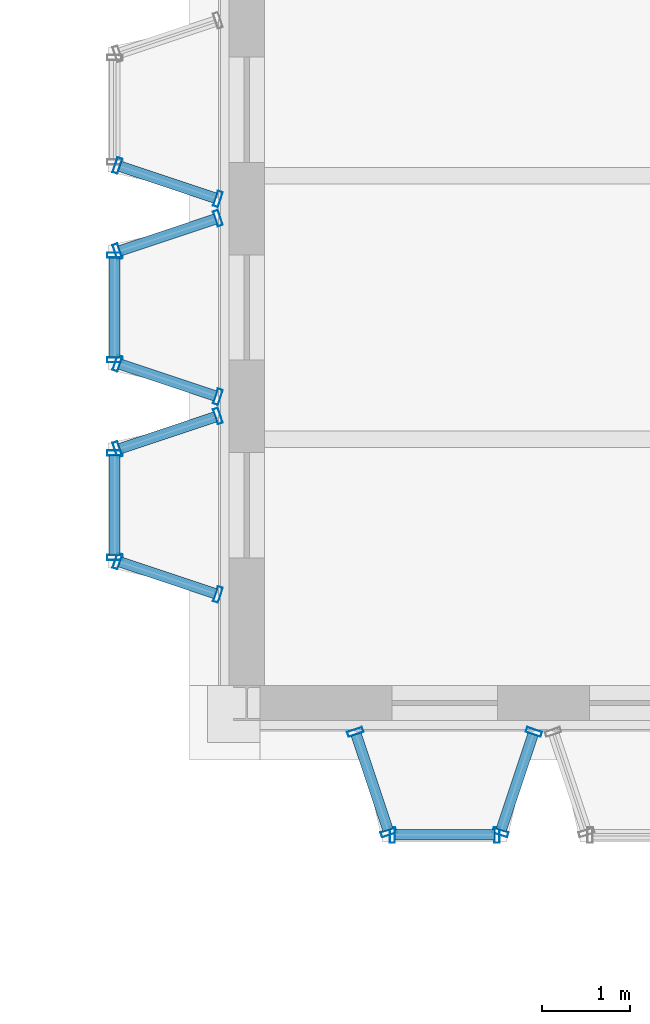
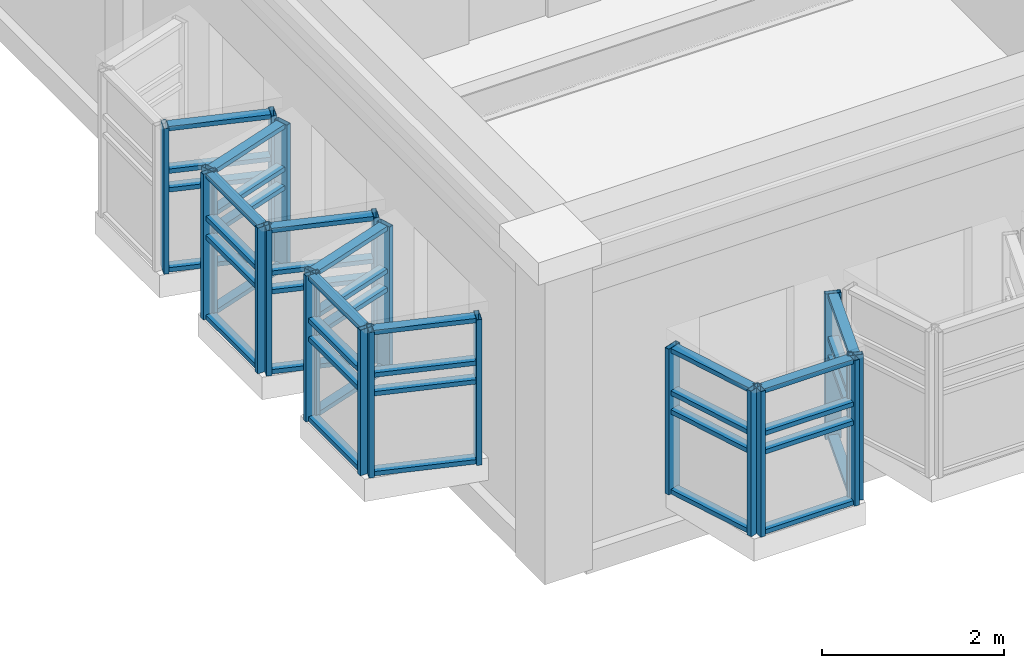
# One storey, part 25 of 153: 60 members, 10 elements without a shape of their own.
"""IFC4 building model written with IfcOpenShell, lengths in metres."""

from ifc_helpers import new_model, si_unit, direction, frame, origin, origin_2d, place, context, subcontext, project, spatial, hollow_rectangle, extrude, material, material_profile, profile_set, type_object, element, aggregate, save


model = new_model("IFC4")

# Units and contexts
model_context = context("Model", 3, precision=1e-05, world=origin(), true_north=direction((0.0, 1.0)))
body_context = subcontext(model_context, "Body", "Model", "MODEL_VIEW")
ifc_project = project(units=[si_unit("LENGTHUNIT", "METRE"), si_unit("AREAUNIT", "SQUARE_METRE"), si_unit("VOLUMEUNIT", "CUBIC_METRE"), si_unit("PLANEANGLEUNIT", "RADIAN"), si_unit("MASSUNIT", "GRAM", prefix="KILO")], contexts=[model_context])

# Site, building, storey
site_placement = place(None, origin())
site = spatial("IfcSite", under=ifc_project, at=site_placement, CompositionType="ELEMENT")
building_placement = place(site_placement, origin())
building = spatial("IfcBuilding", under=site, at=building_placement, Name="Kallimachos Central Library", CompositionType="ELEMENT")
storey_placement = place(building_placement, frame((0.0, 0.0, 5.39990234375)))
storey = spatial("IfcBuildingStorey", under=building, at=storey_placement, Name="L01", CompositionType="ELEMENT", Elevation=5.39990234375)

# Curtain wall, members
ifc_material_1 = material(Name="Laminated glass in anodised aluminium", Category="aluminium")
curtain_wall_type = type_object("IfcCurtainWallType", Name="Foyer curtain wall", PredefinedType="NOTDEFINED", material=ifc_material_1)
curtain_wall_1_placement = place(storey_placement, origin())
curtain_wall_1 = element("IfcCurtainWall", 1, at=curtain_wall_1_placement, inside=storey, type_object=curtain_wall_type, Name="Tribune bay return west", PredefinedType="NOTDEFINED")
ifc_material_2 = material(Name="Anodised aluminium", Category="aluminium")
ifc_material_profile_1 = material_profile(ifc_material_2, hollow_rectangle(XDim=0.06005859375, YDim=0.179931640625, WallThickness=0.00390625, at=origin_2d()), Name="ALU MULLION 60x180")
ifc_profile_set_1 = profile_set([ifc_material_profile_1], Name="Anodised aluminium")
member_type_1 = type_object("IfcMemberType", Name="ALU MULLION 60x180 mullion", PredefinedType="MULLION", material=ifc_profile_set_1)
member_1_placement = place(storey_placement, frame((66.734375, 17.671630859375, 0.60009765625), z_axis=(0.0, 0.0, 1.0), x_axis=(0.316227766018, -0.94868329805, 0.0)))
member_1 = element("IfcMember", 2, at=member_1_placement, type_object=member_type_1, Name="CW mullion 1", PredefinedType="MULLION", context=body_context, shape_type="SweptSolid", body=[
    extrude(hollow_rectangle(XDim=0.06005859375, YDim=0.179931640625, WallThickness=0.00390625, at=origin_2d()), origin(), (0.0, 0.0, 1.0), 1.949951171875),
])
member_2_placement = place(storey_placement, frame((67.115478515625, 16.528564453125, 0.60009765625), z_axis=(0.0, 0.0, 1.0), x_axis=(0.316227766018, -0.94868329805, 0.0)))
member_2 = element("IfcMember", 3, at=member_2_placement, type_object=member_type_1, Name="CW mullion 2", PredefinedType="MULLION", context=body_context, shape_type="SweptSolid", body=[
    extrude(hollow_rectangle(XDim=0.06005859375, YDim=0.179931640625, WallThickness=0.00390625, at=origin_2d()), origin(), (0.0, 0.0, 1.0), 1.949951171875),
])

curtain_wall_2_placement = place(storey_placement, origin())
curtain_wall_2 = element("IfcCurtainWall", 4, at=curtain_wall_2_placement, inside=storey, type_object=curtain_wall_type, Name="Tribune bay front", PredefinedType="NOTDEFINED")
member_3_placement = place(storey_placement, frame((67.155029296875, 16.5, 0.60009765625), z_axis=(0.0, 0.0, 1.0), x_axis=(1.0, 0.0, 0.0)))
member_3 = element("IfcMember", 5, at=member_3_placement, type_object=member_type_1, Name="CW mullion 1", PredefinedType="MULLION", context=body_context, shape_type="SweptSolid", body=[
    extrude(hollow_rectangle(XDim=0.06005859375, YDim=0.179931640625, WallThickness=0.00390625, at=origin_2d()), origin(), (0.0, 0.0, 1.0), 1.949951171875),
])
member_4_placement = place(storey_placement, frame((68.344970703125, 16.5, 0.60009765625), z_axis=(0.0, 0.0, 1.0), x_axis=(1.0, 0.0, 0.0)))
member_4 = element("IfcMember", 6, at=member_4_placement, type_object=member_type_1, Name="CW mullion 2", PredefinedType="MULLION", context=body_context, shape_type="SweptSolid", body=[
    extrude(hollow_rectangle(XDim=0.06005859375, YDim=0.179931640625, WallThickness=0.00390625, at=origin_2d()), origin(), (0.0, 0.0, 1.0), 1.949951171875),
])

curtain_wall_3_placement = place(storey_placement, origin())
curtain_wall_3 = element("IfcCurtainWall", 7, at=curtain_wall_3_placement, inside=storey, type_object=curtain_wall_type, Name="Tribune bay return east", PredefinedType="NOTDEFINED")
member_5_placement = place(storey_placement, frame((68.384521484375, 16.528564453125, 0.60009765625), z_axis=(0.0, 0.0, 1.0), x_axis=(0.316227766018, 0.94868329805, 0.0)))
member_5 = element("IfcMember", 8, at=member_5_placement, type_object=member_type_1, Name="CW mullion 1", PredefinedType="MULLION", context=body_context, shape_type="SweptSolid", body=[
    extrude(hollow_rectangle(XDim=0.06005859375, YDim=0.179931640625, WallThickness=0.00390625, at=origin_2d()), origin(), (0.0, 0.0, 1.0), 1.949951171875),
])
member_6_placement = place(storey_placement, frame((68.765625, 17.671630859375, 0.60009765625), z_axis=(0.0, 0.0, 1.0), x_axis=(0.316227766018, 0.94868329805, 0.0)))
member_6 = element("IfcMember", 9, at=member_6_placement, type_object=member_type_1, Name="CW mullion 2", PredefinedType="MULLION", context=body_context, shape_type="SweptSolid", body=[
    extrude(hollow_rectangle(XDim=0.06005859375, YDim=0.179931640625, WallThickness=0.00390625, at=origin_2d()), origin(), (0.0, 0.0, 1.0), 1.949951171875),
])

curtain_wall_4_placement = place(storey_placement, origin())
curtain_wall_4 = element("IfcCurtainWall", 10, at=curtain_wall_4_placement, inside=storey, type_object=curtain_wall_type, Name="Tribune bay return west", PredefinedType="NOTDEFINED")
member_7_placement = place(storey_placement, frame((65.171630859375, 19.234375, 0.60009765625), z_axis=(0.0, 0.0, 1.0), x_axis=(-0.94868329805, 0.316227766018, 0.0)))
member_7 = element("IfcMember", 11, at=member_7_placement, type_object=member_type_1, Name="CW mullion 1", PredefinedType="MULLION", context=body_context, shape_type="SweptSolid", body=[
    extrude(hollow_rectangle(XDim=0.06005859375, YDim=0.179931640625, WallThickness=0.00390625, at=origin_2d()), origin(), (0.0, 0.0, 1.0), 1.949951171875),
])
member_8_placement = place(storey_placement, frame((64.028564453125, 19.615478515625, 0.60009765625), z_axis=(0.0, 0.0, 1.0), x_axis=(-0.94868329805, 0.316227766018, 0.0)))
member_8 = element("IfcMember", 12, at=member_8_placement, type_object=member_type_1, Name="CW mullion 2", PredefinedType="MULLION", context=body_context, shape_type="SweptSolid", body=[
    extrude(hollow_rectangle(XDim=0.06005859375, YDim=0.179931640625, WallThickness=0.00390625, at=origin_2d()), origin(), (0.0, 0.0, 1.0), 1.949951171875),
])

curtain_wall_5_placement = place(storey_placement, origin())
curtain_wall_5 = element("IfcCurtainWall", 13, at=curtain_wall_5_placement, inside=storey, type_object=curtain_wall_type, Name="Tribune bay front", PredefinedType="NOTDEFINED")
member_9_placement = place(storey_placement, frame((64.0, 19.655029296875, 0.60009765625), z_axis=(0.0, 0.0, 1.0), x_axis=(0.0, 1.0, 0.0)))
member_9 = element("IfcMember", 14, at=member_9_placement, type_object=member_type_1, Name="CW mullion 1", PredefinedType="MULLION", context=body_context, shape_type="SweptSolid", body=[
    extrude(hollow_rectangle(XDim=0.06005859375, YDim=0.179931640625, WallThickness=0.00390625, at=origin_2d()), origin(), (0.0, 0.0, 1.0), 1.949951171875),
])
member_10_placement = place(storey_placement, frame((64.0, 20.844970703125, 0.60009765625), z_axis=(0.0, 0.0, 1.0), x_axis=(0.0, 1.0, 0.0)))
member_10 = element("IfcMember", 15, at=member_10_placement, type_object=member_type_1, Name="CW mullion 2", PredefinedType="MULLION", context=body_context, shape_type="SweptSolid", body=[
    extrude(hollow_rectangle(XDim=0.06005859375, YDim=0.179931640625, WallThickness=0.00390625, at=origin_2d()), origin(), (0.0, 0.0, 1.0), 1.949951171875),
])

curtain_wall_6_placement = place(storey_placement, origin())
curtain_wall_6 = element("IfcCurtainWall", 16, at=curtain_wall_6_placement, inside=storey, type_object=curtain_wall_type, Name="Tribune bay return east", PredefinedType="NOTDEFINED")
member_11_placement = place(storey_placement, frame((64.028564453125, 20.884521484375, 0.60009765625), z_axis=(0.0, 0.0, 1.0), x_axis=(0.94868329805, 0.316227766018, 0.0)))
member_11 = element("IfcMember", 17, at=member_11_placement, type_object=member_type_1, Name="CW mullion 1", PredefinedType="MULLION", context=body_context, shape_type="SweptSolid", body=[
    extrude(hollow_rectangle(XDim=0.06005859375, YDim=0.179931640625, WallThickness=0.00390625, at=origin_2d()), origin(), (0.0, 0.0, 1.0), 1.949951171875),
])
member_12_placement = place(storey_placement, frame((65.171630859375, 21.265625, 0.60009765625), z_axis=(0.0, 0.0, 1.0), x_axis=(0.94868329805, 0.316227766018, 0.0)))
member_12 = element("IfcMember", 18, at=member_12_placement, type_object=member_type_1, Name="CW mullion 2", PredefinedType="MULLION", context=body_context, shape_type="SweptSolid", body=[
    extrude(hollow_rectangle(XDim=0.06005859375, YDim=0.179931640625, WallThickness=0.00390625, at=origin_2d()), origin(), (0.0, 0.0, 1.0), 1.949951171875),
])

curtain_wall_7_placement = place(storey_placement, origin())
curtain_wall_7 = element("IfcCurtainWall", 19, at=curtain_wall_7_placement, inside=storey, type_object=curtain_wall_type, Name="Tribune bay return west", PredefinedType="NOTDEFINED")
member_13_placement = place(storey_placement, frame((65.171630859375, 21.484375, 0.60009765625), z_axis=(0.0, 0.0, 1.0), x_axis=(-0.94868329805, 0.316227766018, 0.0)))
member_13 = element("IfcMember", 20, at=member_13_placement, type_object=member_type_1, Name="CW mullion 1", PredefinedType="MULLION", context=body_context, shape_type="SweptSolid", body=[
    extrude(hollow_rectangle(XDim=0.06005859375, YDim=0.179931640625, WallThickness=0.00390625, at=origin_2d()), origin(), (0.0, 0.0, 1.0), 1.949951171875),
])
member_14_placement = place(storey_placement, frame((64.028564453125, 21.865478515625, 0.60009765625), z_axis=(0.0, 0.0, 1.0), x_axis=(-0.94868329805, 0.316227766018, 0.0)))
member_14 = element("IfcMember", 21, at=member_14_placement, type_object=member_type_1, Name="CW mullion 2", PredefinedType="MULLION", context=body_context, shape_type="SweptSolid", body=[
    extrude(hollow_rectangle(XDim=0.06005859375, YDim=0.179931640625, WallThickness=0.00390625, at=origin_2d()), origin(), (0.0, 0.0, 1.0), 1.949951171875),
])

curtain_wall_8_placement = place(storey_placement, origin())
curtain_wall_8 = element("IfcCurtainWall", 22, at=curtain_wall_8_placement, inside=storey, type_object=curtain_wall_type, Name="Tribune bay front", PredefinedType="NOTDEFINED")
member_15_placement = place(storey_placement, frame((64.0, 21.905029296875, 0.60009765625), z_axis=(0.0, 0.0, 1.0), x_axis=(0.0, 1.0, 0.0)))
member_15 = element("IfcMember", 23, at=member_15_placement, type_object=member_type_1, Name="CW mullion 1", PredefinedType="MULLION", context=body_context, shape_type="SweptSolid", body=[
    extrude(hollow_rectangle(XDim=0.06005859375, YDim=0.179931640625, WallThickness=0.00390625, at=origin_2d()), origin(), (0.0, 0.0, 1.0), 1.949951171875),
])
member_16_placement = place(storey_placement, frame((64.0, 23.094970703125, 0.60009765625), z_axis=(0.0, 0.0, 1.0), x_axis=(0.0, 1.0, 0.0)))
member_16 = element("IfcMember", 24, at=member_16_placement, type_object=member_type_1, Name="CW mullion 2", PredefinedType="MULLION", context=body_context, shape_type="SweptSolid", body=[
    extrude(hollow_rectangle(XDim=0.06005859375, YDim=0.179931640625, WallThickness=0.00390625, at=origin_2d()), origin(), (0.0, 0.0, 1.0), 1.949951171875),
])

curtain_wall_9_placement = place(storey_placement, origin())
curtain_wall_9 = element("IfcCurtainWall", 25, at=curtain_wall_9_placement, inside=storey, type_object=curtain_wall_type, Name="Tribune bay return east", PredefinedType="NOTDEFINED")
member_17_placement = place(storey_placement, frame((64.028564453125, 23.134521484375, 0.60009765625), z_axis=(0.0, 0.0, 1.0), x_axis=(0.94868329805, 0.316227766018, 0.0)))
member_17 = element("IfcMember", 26, at=member_17_placement, type_object=member_type_1, Name="CW mullion 1", PredefinedType="MULLION", context=body_context, shape_type="SweptSolid", body=[
    extrude(hollow_rectangle(XDim=0.06005859375, YDim=0.179931640625, WallThickness=0.00390625, at=origin_2d()), origin(), (0.0, 0.0, 1.0), 1.949951171875),
])
member_18_placement = place(storey_placement, frame((65.171630859375, 23.515625, 0.60009765625), z_axis=(0.0, 0.0, 1.0), x_axis=(0.94868329805, 0.316227766018, 0.0)))
member_18 = element("IfcMember", 27, at=member_18_placement, type_object=member_type_1, Name="CW mullion 2", PredefinedType="MULLION", context=body_context, shape_type="SweptSolid", body=[
    extrude(hollow_rectangle(XDim=0.06005859375, YDim=0.179931640625, WallThickness=0.00390625, at=origin_2d()), origin(), (0.0, 0.0, 1.0), 1.949951171875),
])

curtain_wall_10_placement = place(storey_placement, origin())
curtain_wall_10 = element("IfcCurtainWall", 28, at=curtain_wall_10_placement, inside=storey, type_object=curtain_wall_type, Name="Tribune bay return west", PredefinedType="NOTDEFINED")
member_19_placement = place(storey_placement, frame((65.171630859375, 23.734375, 0.60009765625), z_axis=(0.0, 0.0, 1.0), x_axis=(-0.94868329805, 0.316227766018, 0.0)))
member_19 = element("IfcMember", 29, at=member_19_placement, type_object=member_type_1, Name="CW mullion 1", PredefinedType="MULLION", context=body_context, shape_type="SweptSolid", body=[
    extrude(hollow_rectangle(XDim=0.06005859375, YDim=0.179931640625, WallThickness=0.00390625, at=origin_2d()), origin(), (0.0, 0.0, 1.0), 1.949951171875),
])
member_20_placement = place(storey_placement, frame((64.028564453125, 24.115478515625, 0.60009765625), z_axis=(0.0, 0.0, 1.0), x_axis=(-0.94868329805, 0.316227766018, 0.0)))
member_20 = element("IfcMember", 30, at=member_20_placement, type_object=member_type_1, Name="CW mullion 2", PredefinedType="MULLION", context=body_context, shape_type="SweptSolid", body=[
    extrude(hollow_rectangle(XDim=0.06005859375, YDim=0.179931640625, WallThickness=0.00390625, at=origin_2d()), origin(), (0.0, 0.0, 1.0), 1.949951171875),
])

# Member
ifc_material_3 = material(Name="Anodised aluminium", Category="aluminium")
ifc_material_profile_2 = material_profile(ifc_material_3, hollow_rectangle(XDim=0.06005859375, YDim=0.1201171875, WallThickness=0.00390625, at=origin_2d()), Name="ALU TRANSOM 60x120")
ifc_profile_set_2 = profile_set([ifc_material_profile_2], Name="Anodised aluminium")
member_type_2 = type_object("IfcMemberType", Name="ALU TRANSOM 60x120 transom", PredefinedType="USERDEFINED", material=ifc_profile_set_2)
member_21_placement = place(storey_placement, frame((66.743896484375, 17.64306640625, 0.630126953125), z_axis=(0.316227766017, -0.948683298051, 0.0), x_axis=(0.0, 0.0, 1.0)))
member_21 = element("IfcMember", 31, at=member_21_placement, type_object=member_type_2, Name="CW transom 1.1", ObjectType="TRANSOM", PredefinedType="USERDEFINED", context=body_context, shape_type="SweptSolid", body=[
    extrude(hollow_rectangle(XDim=0.06005859375, YDim=0.1201171875, WallThickness=0.00390625, at=origin_2d()), origin(), (0.0, 0.0, 1.0), 1.14501953125),
])

member_22_placement = place(storey_placement, frame((66.743896484375, 17.64306640625, 1.7001953125), z_axis=(0.316227766017, -0.948683298051, 0.0), x_axis=(0.0, 0.0, 1.0)))
member_22 = element("IfcMember", 32, at=member_22_placement, type_object=member_type_2, Name="CW transom 1.2", ObjectType="TRANSOM", PredefinedType="USERDEFINED", context=body_context, shape_type="SweptSolid", body=[
    extrude(hollow_rectangle(XDim=0.06005859375, YDim=0.1201171875, WallThickness=0.00390625, at=origin_2d()), origin(), (0.0, 0.0, 1.0), 1.14501953125),
])

member_23_placement = place(storey_placement, frame((66.743896484375, 17.64306640625, 1.9501953125), z_axis=(0.316227766017, -0.948683298051, 0.0), x_axis=(0.0, 0.0, 1.0)))
member_23 = element("IfcMember", 33, at=member_23_placement, type_object=member_type_2, Name="CW transom 1.3", ObjectType="TRANSOM", PredefinedType="USERDEFINED", context=body_context, shape_type="SweptSolid", body=[
    extrude(hollow_rectangle(XDim=0.06005859375, YDim=0.1201171875, WallThickness=0.00390625, at=origin_2d()), origin(), (0.0, 0.0, 1.0), 1.14501953125),
])

member_24_placement = place(storey_placement, frame((66.743896484375, 17.64306640625, 2.52001953125), z_axis=(0.316227766017, -0.948683298051, 0.0), x_axis=(0.0, 0.0, 1.0)))
member_24 = element("IfcMember", 34, at=member_24_placement, type_object=member_type_2, Name="CW transom 1.4", ObjectType="TRANSOM", PredefinedType="USERDEFINED", context=body_context, shape_type="SweptSolid", body=[
    extrude(hollow_rectangle(XDim=0.06005859375, YDim=0.1201171875, WallThickness=0.00390625, at=origin_2d()), origin(), (0.0, 0.0, 1.0), 1.14501953125),
])

aggregate(curtain_wall_1, [member_1, member_2, member_21, member_22, member_23, member_24])

member_25_placement = place(storey_placement, frame((67.18505859375, 16.5, 0.630126953125), z_axis=(1.0, 0.0, 0.0), x_axis=(0.0, 0.0, 1.0)))
member_25 = element("IfcMember", 35, at=member_25_placement, type_object=member_type_2, Name="CW transom 1.1", ObjectType="TRANSOM", PredefinedType="USERDEFINED", context=body_context, shape_type="SweptSolid", body=[
    extrude(hollow_rectangle(XDim=0.06005859375, YDim=0.1201171875, WallThickness=0.00390625, at=origin_2d()), origin(), (0.0, 0.0, 1.0), 1.1298828125),
])

member_26_placement = place(storey_placement, frame((67.18505859375, 16.5, 1.7001953125), z_axis=(1.0, 0.0, 0.0), x_axis=(0.0, 0.0, 1.0)))
member_26 = element("IfcMember", 36, at=member_26_placement, type_object=member_type_2, Name="CW transom 1.2", ObjectType="TRANSOM", PredefinedType="USERDEFINED", context=body_context, shape_type="SweptSolid", body=[
    extrude(hollow_rectangle(XDim=0.06005859375, YDim=0.1201171875, WallThickness=0.00390625, at=origin_2d()), origin(), (0.0, 0.0, 1.0), 1.1298828125),
])

member_27_placement = place(storey_placement, frame((67.18505859375, 16.5, 1.9501953125), z_axis=(1.0, 0.0, 0.0), x_axis=(0.0, 0.0, 1.0)))
member_27 = element("IfcMember", 37, at=member_27_placement, type_object=member_type_2, Name="CW transom 1.3", ObjectType="TRANSOM", PredefinedType="USERDEFINED", context=body_context, shape_type="SweptSolid", body=[
    extrude(hollow_rectangle(XDim=0.06005859375, YDim=0.1201171875, WallThickness=0.00390625, at=origin_2d()), origin(), (0.0, 0.0, 1.0), 1.1298828125),
])

member_28_placement = place(storey_placement, frame((67.18505859375, 16.5, 2.52001953125), z_axis=(1.0, 0.0, 0.0), x_axis=(0.0, 0.0, 1.0)))
member_28 = element("IfcMember", 38, at=member_28_placement, type_object=member_type_2, Name="CW transom 1.4", ObjectType="TRANSOM", PredefinedType="USERDEFINED", context=body_context, shape_type="SweptSolid", body=[
    extrude(hollow_rectangle(XDim=0.06005859375, YDim=0.1201171875, WallThickness=0.00390625, at=origin_2d()), origin(), (0.0, 0.0, 1.0), 1.1298828125),
])

aggregate(curtain_wall_2, [member_3, member_4, member_25, member_26, member_27, member_28])

member_29_placement = place(storey_placement, frame((68.39404296875, 16.556884765625, 0.630126953125), z_axis=(0.316227766017, 0.948683298051, 0.0), x_axis=(0.0, 0.0, 1.0)))
member_29 = element("IfcMember", 39, at=member_29_placement, type_object=member_type_2, Name="CW transom 1.1", ObjectType="TRANSOM", PredefinedType="USERDEFINED", context=body_context, shape_type="SweptSolid", body=[
    extrude(hollow_rectangle(XDim=0.06005859375, YDim=0.1201171875, WallThickness=0.00390625, at=origin_2d()), origin(), (0.0, 0.0, 1.0), 1.14501953125),
])

member_30_placement = place(storey_placement, frame((68.39404296875, 16.556884765625, 1.7001953125), z_axis=(0.316227766017, 0.948683298051, 0.0), x_axis=(0.0, 0.0, 1.0)))
member_30 = element("IfcMember", 40, at=member_30_placement, type_object=member_type_2, Name="CW transom 1.2", ObjectType="TRANSOM", PredefinedType="USERDEFINED", context=body_context, shape_type="SweptSolid", body=[
    extrude(hollow_rectangle(XDim=0.06005859375, YDim=0.1201171875, WallThickness=0.00390625, at=origin_2d()), origin(), (0.0, 0.0, 1.0), 1.14501953125),
])

member_31_placement = place(storey_placement, frame((68.39404296875, 16.556884765625, 1.9501953125), z_axis=(0.316227766017, 0.948683298051, 0.0), x_axis=(0.0, 0.0, 1.0)))
member_31 = element("IfcMember", 41, at=member_31_placement, type_object=member_type_2, Name="CW transom 1.3", ObjectType="TRANSOM", PredefinedType="USERDEFINED", context=body_context, shape_type="SweptSolid", body=[
    extrude(hollow_rectangle(XDim=0.06005859375, YDim=0.1201171875, WallThickness=0.00390625, at=origin_2d()), origin(), (0.0, 0.0, 1.0), 1.14501953125),
])

member_32_placement = place(storey_placement, frame((68.39404296875, 16.556884765625, 2.52001953125), z_axis=(0.316227766017, 0.948683298051, 0.0), x_axis=(0.0, 0.0, 1.0)))
member_32 = element("IfcMember", 42, at=member_32_placement, type_object=member_type_2, Name="CW transom 1.4", ObjectType="TRANSOM", PredefinedType="USERDEFINED", context=body_context, shape_type="SweptSolid", body=[
    extrude(hollow_rectangle(XDim=0.06005859375, YDim=0.1201171875, WallThickness=0.00390625, at=origin_2d()), origin(), (0.0, 0.0, 1.0), 1.14501953125),
])

aggregate(curtain_wall_3, [member_5, member_6, member_29, member_30, member_31, member_32])

member_33_placement = place(storey_placement, frame((65.14306640625, 19.243896484375, 0.630126953125), z_axis=(-0.948683298051, 0.316227766017, 0.0), x_axis=(0.0, 0.0, 1.0)))
member_33 = element("IfcMember", 43, at=member_33_placement, type_object=member_type_2, Name="CW transom 1.1", ObjectType="TRANSOM", PredefinedType="USERDEFINED", context=body_context, shape_type="SweptSolid", body=[
    extrude(hollow_rectangle(XDim=0.06005859375, YDim=0.1201171875, WallThickness=0.00390625, at=origin_2d()), origin(), (0.0, 0.0, 1.0), 1.14501953125),
])

member_34_placement = place(storey_placement, frame((65.14306640625, 19.243896484375, 1.7001953125), z_axis=(-0.948683298051, 0.316227766017, 0.0), x_axis=(0.0, 0.0, 1.0)))
member_34 = element("IfcMember", 44, at=member_34_placement, type_object=member_type_2, Name="CW transom 1.2", ObjectType="TRANSOM", PredefinedType="USERDEFINED", context=body_context, shape_type="SweptSolid", body=[
    extrude(hollow_rectangle(XDim=0.06005859375, YDim=0.1201171875, WallThickness=0.00390625, at=origin_2d()), origin(), (0.0, 0.0, 1.0), 1.14501953125),
])

member_35_placement = place(storey_placement, frame((65.14306640625, 19.243896484375, 1.9501953125), z_axis=(-0.948683298051, 0.316227766017, 0.0), x_axis=(0.0, 0.0, 1.0)))
member_35 = element("IfcMember", 45, at=member_35_placement, type_object=member_type_2, Name="CW transom 1.3", ObjectType="TRANSOM", PredefinedType="USERDEFINED", context=body_context, shape_type="SweptSolid", body=[
    extrude(hollow_rectangle(XDim=0.06005859375, YDim=0.1201171875, WallThickness=0.00390625, at=origin_2d()), origin(), (0.0, 0.0, 1.0), 1.14501953125),
])

member_36_placement = place(storey_placement, frame((65.14306640625, 19.243896484375, 2.52001953125), z_axis=(-0.948683298051, 0.316227766017, 0.0), x_axis=(0.0, 0.0, 1.0)))
member_36 = element("IfcMember", 46, at=member_36_placement, type_object=member_type_2, Name="CW transom 1.4", ObjectType="TRANSOM", PredefinedType="USERDEFINED", context=body_context, shape_type="SweptSolid", body=[
    extrude(hollow_rectangle(XDim=0.06005859375, YDim=0.1201171875, WallThickness=0.00390625, at=origin_2d()), origin(), (0.0, 0.0, 1.0), 1.14501953125),
])

aggregate(curtain_wall_4, [member_7, member_8, member_33, member_34, member_35, member_36])

member_37_placement = place(storey_placement, frame((64.0, 19.68505859375, 0.630126953125), z_axis=(0.0, 1.0, 0.0), x_axis=(0.0, 0.0, 1.0)))
member_37 = element("IfcMember", 47, at=member_37_placement, type_object=member_type_2, Name="CW transom 1.1", ObjectType="TRANSOM", PredefinedType="USERDEFINED", context=body_context, shape_type="SweptSolid", body=[
    extrude(hollow_rectangle(XDim=0.06005859375, YDim=0.1201171875, WallThickness=0.00390625, at=origin_2d()), origin(), (0.0, 0.0, 1.0), 1.1298828125),
])

member_38_placement = place(storey_placement, frame((64.0, 19.68505859375, 1.7001953125), z_axis=(0.0, 1.0, 0.0), x_axis=(0.0, 0.0, 1.0)))
member_38 = element("IfcMember", 48, at=member_38_placement, type_object=member_type_2, Name="CW transom 1.2", ObjectType="TRANSOM", PredefinedType="USERDEFINED", context=body_context, shape_type="SweptSolid", body=[
    extrude(hollow_rectangle(XDim=0.06005859375, YDim=0.1201171875, WallThickness=0.00390625, at=origin_2d()), origin(), (0.0, 0.0, 1.0), 1.1298828125),
])

member_39_placement = place(storey_placement, frame((64.0, 19.68505859375, 1.9501953125), z_axis=(0.0, 1.0, 0.0), x_axis=(0.0, 0.0, 1.0)))
member_39 = element("IfcMember", 49, at=member_39_placement, type_object=member_type_2, Name="CW transom 1.3", ObjectType="TRANSOM", PredefinedType="USERDEFINED", context=body_context, shape_type="SweptSolid", body=[
    extrude(hollow_rectangle(XDim=0.06005859375, YDim=0.1201171875, WallThickness=0.00390625, at=origin_2d()), origin(), (0.0, 0.0, 1.0), 1.1298828125),
])

member_40_placement = place(storey_placement, frame((64.0, 19.68505859375, 2.52001953125), z_axis=(0.0, 1.0, 0.0), x_axis=(0.0, 0.0, 1.0)))
member_40 = element("IfcMember", 50, at=member_40_placement, type_object=member_type_2, Name="CW transom 1.4", ObjectType="TRANSOM", PredefinedType="USERDEFINED", context=body_context, shape_type="SweptSolid", body=[
    extrude(hollow_rectangle(XDim=0.06005859375, YDim=0.1201171875, WallThickness=0.00390625, at=origin_2d()), origin(), (0.0, 0.0, 1.0), 1.1298828125),
])

aggregate(curtain_wall_5, [member_9, member_10, member_37, member_38, member_39, member_40])

member_41_placement = place(storey_placement, frame((64.056884765625, 20.89404296875, 0.630126953125), z_axis=(0.948683298051, 0.316227766017, 0.0), x_axis=(0.0, 0.0, 1.0)))
member_41 = element("IfcMember", 51, at=member_41_placement, type_object=member_type_2, Name="CW transom 1.1", ObjectType="TRANSOM", PredefinedType="USERDEFINED", context=body_context, shape_type="SweptSolid", body=[
    extrude(hollow_rectangle(XDim=0.06005859375, YDim=0.1201171875, WallThickness=0.00390625, at=origin_2d()), origin(), (0.0, 0.0, 1.0), 1.14501953125),
])

member_42_placement = place(storey_placement, frame((64.056884765625, 20.89404296875, 1.7001953125), z_axis=(0.948683298051, 0.316227766017, 0.0), x_axis=(0.0, 0.0, 1.0)))
member_42 = element("IfcMember", 52, at=member_42_placement, type_object=member_type_2, Name="CW transom 1.2", ObjectType="TRANSOM", PredefinedType="USERDEFINED", context=body_context, shape_type="SweptSolid", body=[
    extrude(hollow_rectangle(XDim=0.06005859375, YDim=0.1201171875, WallThickness=0.00390625, at=origin_2d()), origin(), (0.0, 0.0, 1.0), 1.14501953125),
])

member_43_placement = place(storey_placement, frame((64.056884765625, 20.89404296875, 1.9501953125), z_axis=(0.948683298051, 0.316227766017, 0.0), x_axis=(0.0, 0.0, 1.0)))
member_43 = element("IfcMember", 53, at=member_43_placement, type_object=member_type_2, Name="CW transom 1.3", ObjectType="TRANSOM", PredefinedType="USERDEFINED", context=body_context, shape_type="SweptSolid", body=[
    extrude(hollow_rectangle(XDim=0.06005859375, YDim=0.1201171875, WallThickness=0.00390625, at=origin_2d()), origin(), (0.0, 0.0, 1.0), 1.14501953125),
])

member_44_placement = place(storey_placement, frame((64.056884765625, 20.89404296875, 2.52001953125), z_axis=(0.948683298051, 0.316227766017, 0.0), x_axis=(0.0, 0.0, 1.0)))
member_44 = element("IfcMember", 54, at=member_44_placement, type_object=member_type_2, Name="CW transom 1.4", ObjectType="TRANSOM", PredefinedType="USERDEFINED", context=body_context, shape_type="SweptSolid", body=[
    extrude(hollow_rectangle(XDim=0.06005859375, YDim=0.1201171875, WallThickness=0.00390625, at=origin_2d()), origin(), (0.0, 0.0, 1.0), 1.14501953125),
])

aggregate(curtain_wall_6, [member_11, member_12, member_41, member_42, member_43, member_44])

member_45_placement = place(storey_placement, frame((65.14306640625, 21.493896484375, 0.630126953125), z_axis=(-0.948683298051, 0.316227766017, 0.0), x_axis=(0.0, 0.0, 1.0)))
member_45 = element("IfcMember", 55, at=member_45_placement, type_object=member_type_2, Name="CW transom 1.1", ObjectType="TRANSOM", PredefinedType="USERDEFINED", context=body_context, shape_type="SweptSolid", body=[
    extrude(hollow_rectangle(XDim=0.06005859375, YDim=0.1201171875, WallThickness=0.00390625, at=origin_2d()), origin(), (0.0, 0.0, 1.0), 1.14501953125),
])

member_46_placement = place(storey_placement, frame((65.14306640625, 21.493896484375, 1.7001953125), z_axis=(-0.948683298051, 0.316227766017, 0.0), x_axis=(0.0, 0.0, 1.0)))
member_46 = element("IfcMember", 56, at=member_46_placement, type_object=member_type_2, Name="CW transom 1.2", ObjectType="TRANSOM", PredefinedType="USERDEFINED", context=body_context, shape_type="SweptSolid", body=[
    extrude(hollow_rectangle(XDim=0.06005859375, YDim=0.1201171875, WallThickness=0.00390625, at=origin_2d()), origin(), (0.0, 0.0, 1.0), 1.14501953125),
])

member_47_placement = place(storey_placement, frame((65.14306640625, 21.493896484375, 1.9501953125), z_axis=(-0.948683298051, 0.316227766017, 0.0), x_axis=(0.0, 0.0, 1.0)))
member_47 = element("IfcMember", 57, at=member_47_placement, type_object=member_type_2, Name="CW transom 1.3", ObjectType="TRANSOM", PredefinedType="USERDEFINED", context=body_context, shape_type="SweptSolid", body=[
    extrude(hollow_rectangle(XDim=0.06005859375, YDim=0.1201171875, WallThickness=0.00390625, at=origin_2d()), origin(), (0.0, 0.0, 1.0), 1.14501953125),
])

member_48_placement = place(storey_placement, frame((65.14306640625, 21.493896484375, 2.52001953125), z_axis=(-0.948683298051, 0.316227766017, 0.0), x_axis=(0.0, 0.0, 1.0)))
member_48 = element("IfcMember", 58, at=member_48_placement, type_object=member_type_2, Name="CW transom 1.4", ObjectType="TRANSOM", PredefinedType="USERDEFINED", context=body_context, shape_type="SweptSolid", body=[
    extrude(hollow_rectangle(XDim=0.06005859375, YDim=0.1201171875, WallThickness=0.00390625, at=origin_2d()), origin(), (0.0, 0.0, 1.0), 1.14501953125),
])

aggregate(curtain_wall_7, [member_13, member_14, member_45, member_46, member_47, member_48])

member_49_placement = place(storey_placement, frame((64.0, 21.93505859375, 0.630126953125), z_axis=(0.0, 1.0, 0.0), x_axis=(0.0, 0.0, 1.0)))
member_49 = element("IfcMember", 59, at=member_49_placement, type_object=member_type_2, Name="CW transom 1.1", ObjectType="TRANSOM", PredefinedType="USERDEFINED", context=body_context, shape_type="SweptSolid", body=[
    extrude(hollow_rectangle(XDim=0.06005859375, YDim=0.1201171875, WallThickness=0.00390625, at=origin_2d()), origin(), (0.0, 0.0, 1.0), 1.1298828125),
])

member_50_placement = place(storey_placement, frame((64.0, 21.93505859375, 1.7001953125), z_axis=(0.0, 1.0, 0.0), x_axis=(0.0, 0.0, 1.0)))
member_50 = element("IfcMember", 60, at=member_50_placement, type_object=member_type_2, Name="CW transom 1.2", ObjectType="TRANSOM", PredefinedType="USERDEFINED", context=body_context, shape_type="SweptSolid", body=[
    extrude(hollow_rectangle(XDim=0.06005859375, YDim=0.1201171875, WallThickness=0.00390625, at=origin_2d()), origin(), (0.0, 0.0, 1.0), 1.1298828125),
])

member_51_placement = place(storey_placement, frame((64.0, 21.93505859375, 1.9501953125), z_axis=(0.0, 1.0, 0.0), x_axis=(0.0, 0.0, 1.0)))
member_51 = element("IfcMember", 61, at=member_51_placement, type_object=member_type_2, Name="CW transom 1.3", ObjectType="TRANSOM", PredefinedType="USERDEFINED", context=body_context, shape_type="SweptSolid", body=[
    extrude(hollow_rectangle(XDim=0.06005859375, YDim=0.1201171875, WallThickness=0.00390625, at=origin_2d()), origin(), (0.0, 0.0, 1.0), 1.1298828125),
])

member_52_placement = place(storey_placement, frame((64.0, 21.93505859375, 2.52001953125), z_axis=(0.0, 1.0, 0.0), x_axis=(0.0, 0.0, 1.0)))
member_52 = element("IfcMember", 62, at=member_52_placement, type_object=member_type_2, Name="CW transom 1.4", ObjectType="TRANSOM", PredefinedType="USERDEFINED", context=body_context, shape_type="SweptSolid", body=[
    extrude(hollow_rectangle(XDim=0.06005859375, YDim=0.1201171875, WallThickness=0.00390625, at=origin_2d()), origin(), (0.0, 0.0, 1.0), 1.1298828125),
])

aggregate(curtain_wall_8, [member_15, member_16, member_49, member_50, member_51, member_52])

member_53_placement = place(storey_placement, frame((64.056884765625, 23.14404296875, 0.630126953125), z_axis=(0.948683298051, 0.316227766017, 0.0), x_axis=(0.0, 0.0, 1.0)))
member_53 = element("IfcMember", 63, at=member_53_placement, type_object=member_type_2, Name="CW transom 1.1", ObjectType="TRANSOM", PredefinedType="USERDEFINED", context=body_context, shape_type="SweptSolid", body=[
    extrude(hollow_rectangle(XDim=0.06005859375, YDim=0.1201171875, WallThickness=0.00390625, at=origin_2d()), origin(), (0.0, 0.0, 1.0), 1.14501953125),
])

member_54_placement = place(storey_placement, frame((64.056884765625, 23.14404296875, 1.7001953125), z_axis=(0.948683298051, 0.316227766017, 0.0), x_axis=(0.0, 0.0, 1.0)))
member_54 = element("IfcMember", 64, at=member_54_placement, type_object=member_type_2, Name="CW transom 1.2", ObjectType="TRANSOM", PredefinedType="USERDEFINED", context=body_context, shape_type="SweptSolid", body=[
    extrude(hollow_rectangle(XDim=0.06005859375, YDim=0.1201171875, WallThickness=0.00390625, at=origin_2d()), origin(), (0.0, 0.0, 1.0), 1.14501953125),
])

member_55_placement = place(storey_placement, frame((64.056884765625, 23.14404296875, 1.9501953125), z_axis=(0.948683298051, 0.316227766017, 0.0), x_axis=(0.0, 0.0, 1.0)))
member_55 = element("IfcMember", 65, at=member_55_placement, type_object=member_type_2, Name="CW transom 1.3", ObjectType="TRANSOM", PredefinedType="USERDEFINED", context=body_context, shape_type="SweptSolid", body=[
    extrude(hollow_rectangle(XDim=0.06005859375, YDim=0.1201171875, WallThickness=0.00390625, at=origin_2d()), origin(), (0.0, 0.0, 1.0), 1.14501953125),
])

member_56_placement = place(storey_placement, frame((64.056884765625, 23.14404296875, 2.52001953125), z_axis=(0.948683298051, 0.316227766017, 0.0), x_axis=(0.0, 0.0, 1.0)))
member_56 = element("IfcMember", 66, at=member_56_placement, type_object=member_type_2, Name="CW transom 1.4", ObjectType="TRANSOM", PredefinedType="USERDEFINED", context=body_context, shape_type="SweptSolid", body=[
    extrude(hollow_rectangle(XDim=0.06005859375, YDim=0.1201171875, WallThickness=0.00390625, at=origin_2d()), origin(), (0.0, 0.0, 1.0), 1.14501953125),
])

aggregate(curtain_wall_9, [member_17, member_18, member_53, member_54, member_55, member_56])

member_57_placement = place(storey_placement, frame((65.14306640625, 23.743896484375, 0.630126953125), z_axis=(-0.948683298051, 0.316227766017, 0.0), x_axis=(0.0, 0.0, 1.0)))
member_57 = element("IfcMember", 67, at=member_57_placement, type_object=member_type_2, Name="CW transom 1.1", ObjectType="TRANSOM", PredefinedType="USERDEFINED", context=body_context, shape_type="SweptSolid", body=[
    extrude(hollow_rectangle(XDim=0.06005859375, YDim=0.1201171875, WallThickness=0.00390625, at=origin_2d()), origin(), (0.0, 0.0, 1.0), 1.14501953125),
])

member_58_placement = place(storey_placement, frame((65.14306640625, 23.743896484375, 1.7001953125), z_axis=(-0.948683298051, 0.316227766017, 0.0), x_axis=(0.0, 0.0, 1.0)))
member_58 = element("IfcMember", 68, at=member_58_placement, type_object=member_type_2, Name="CW transom 1.2", ObjectType="TRANSOM", PredefinedType="USERDEFINED", context=body_context, shape_type="SweptSolid", body=[
    extrude(hollow_rectangle(XDim=0.06005859375, YDim=0.1201171875, WallThickness=0.00390625, at=origin_2d()), origin(), (0.0, 0.0, 1.0), 1.14501953125),
])

member_59_placement = place(storey_placement, frame((65.14306640625, 23.743896484375, 1.9501953125), z_axis=(-0.948683298051, 0.316227766017, 0.0), x_axis=(0.0, 0.0, 1.0)))
member_59 = element("IfcMember", 69, at=member_59_placement, type_object=member_type_2, Name="CW transom 1.3", ObjectType="TRANSOM", PredefinedType="USERDEFINED", context=body_context, shape_type="SweptSolid", body=[
    extrude(hollow_rectangle(XDim=0.06005859375, YDim=0.1201171875, WallThickness=0.00390625, at=origin_2d()), origin(), (0.0, 0.0, 1.0), 1.14501953125),
])

member_60_placement = place(storey_placement, frame((65.14306640625, 23.743896484375, 2.52001953125), z_axis=(-0.948683298051, 0.316227766017, 0.0), x_axis=(0.0, 0.0, 1.0)))
member_60 = element("IfcMember", 70, at=member_60_placement, type_object=member_type_2, Name="CW transom 1.4", ObjectType="TRANSOM", PredefinedType="USERDEFINED", context=body_context, shape_type="SweptSolid", body=[
    extrude(hollow_rectangle(XDim=0.06005859375, YDim=0.1201171875, WallThickness=0.00390625, at=origin_2d()), origin(), (0.0, 0.0, 1.0), 1.14501953125),
])

aggregate(curtain_wall_10, [member_19, member_20, member_57, member_58, member_59, member_60])

save(model, "model.ifc")
